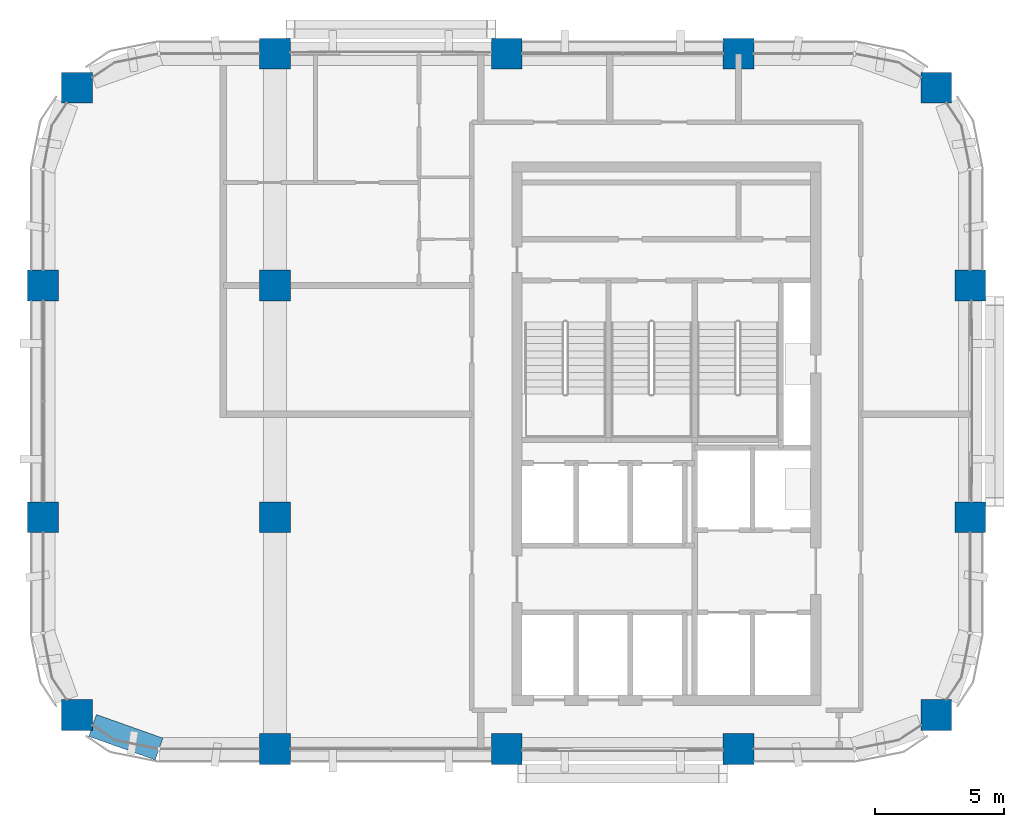
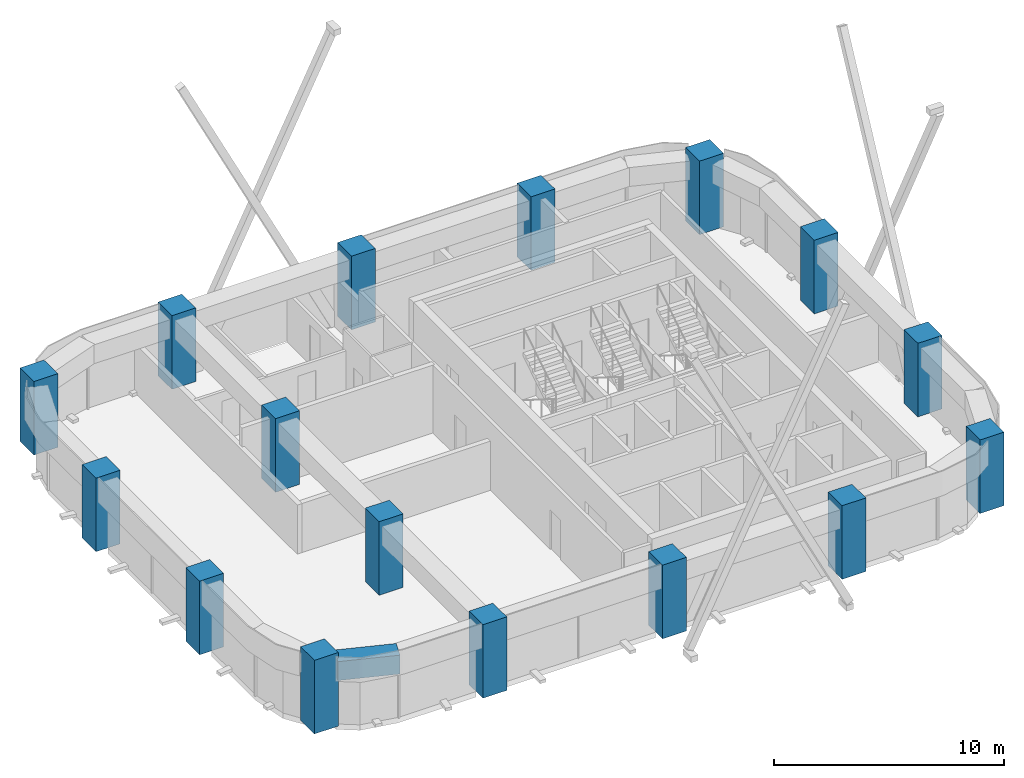
# One storey, part 1 of 10: 16 columns, 1 beam.
"""IFC4 building model written with IfcOpenShell, lengths in metres."""

from ifc_helpers import new_model, si_unit, direction, frame, origin, origin_2d, place, context, subcontext, project, spatial, rectangle, extrude, material, material_profile, profile_set, type_object, element, save


model = new_model("IFC4")

# Units and contexts
model_context = context("Model", 3, precision=1e-05, world=origin(), true_north=direction((0.0, 1.0)))
body_context = subcontext(model_context, "Body", "Model", "MODEL_VIEW")
ifc_project = project(units=[si_unit("LENGTHUNIT", "METRE"), si_unit("AREAUNIT", "SQUARE_METRE"), si_unit("VOLUMEUNIT", "CUBIC_METRE"), si_unit("PLANEANGLEUNIT", "RADIAN"), si_unit("MASSUNIT", "GRAM", prefix="KILO")], contexts=[model_context])

# Site, building, storey
site_placement = place(None, origin())
site = spatial("IfcSite", under=ifc_project, at=site_placement, CompositionType="ELEMENT")
building_placement = place(site_placement, origin())
building = spatial("IfcBuilding", under=site, at=building_placement, Name="Tessera Arch", CompositionType="ELEMENT")
storey_placement = place(building_placement, frame((0.0, 0.0, 265.699951171875)))
storey = spatial("IfcBuildingStorey", under=building, at=storey_placement, Name="L64", CompositionType="ELEMENT", Elevation=265.699951171875)

# Columns
ifc_material_1 = material(Name="Concrete C60/75", Category="concrete")
ifc_material_profile_1 = material_profile(ifc_material_1, rectangle(XDim=1.199951171875, YDim=1.199951171875, at=origin_2d()), Name="RC column 1200 x 1200 Concrete C60/75")
ifc_profile_set_1 = profile_set([ifc_material_profile_1], Name="Concrete C60/75")
column_type = type_object("IfcColumnType", Name="RC column 1200 x 1200 Concrete C60/75", PredefinedType="COLUMN", material=ifc_profile_set_1)
for number, where, z_axis, x_axis, name in (
    (1, (19.318115234375, 28.318115234375, 0.0), (0.0, 0.0, 1.0), (1.0, 0.0, 0.0), "Column C3D L64"),
    (2, (18.0, 36.0, 0.0), (0.0, 0.0, 1.0), (1.0, 0.0, 0.0), "Column C3E L64"),
    (3, (18.0, 45.0, 0.0), (0.0, 0.0, 1.0), (1.0, 0.0, 0.0), "Column C3F L64"),
    (4, (19.318115234375, 52.681884765625, 0.0), (0.0, 0.0, 1.0), (1.0, 0.0, 0.0), "Column C3G L64"),
    (5, (27.0, 27.0, 0.0), (0.0, 0.0, 1.0), (1.0, 0.0, 0.0), "Column C4D L64"),
    (6, (27.0, 36.0, 0.0), (0.0, 0.0, 1.0), (1.0, 0.0, 0.0), "Column C4E L64"),
    (7, (27.0, 45.0, 0.0), (0.0, 0.0, 1.0), (1.0, 0.0, 0.0), "Column C4F L64"),
    (8, (27.0, 54.0, 0.0), (0.0, 0.0, 1.0), (1.0, 0.0, 0.0), "Column C4G L64"),
    (9, (36.0, 27.0, 0.0), (0.0, 0.0, 1.0), (1.0, 0.0, 0.0), "Column C5D L64"),
    (10, (36.0, 54.0, 0.0), (0.0, 0.0, 1.0), (1.0, 0.0, 0.0), "Column C5G L64"),
    (11, (45.0, 27.0, 0.0), (0.0, 0.0, 1.0), (1.0, 0.0, 0.0), "Column C6D L64"),
    (12, (45.0, 54.0, 0.0), (0.0, 0.0, 1.0), (1.0, 0.0, 0.0), "Column C6G L64"),
    (13, (52.681884765625, 28.318115234375, 0.0), (0.0, 0.0, 1.0), (1.0, 0.0, 0.0), "Column C7D L64"),
    (14, (54.0, 36.0, 0.0), (0.0, 0.0, 1.0), (1.0, 0.0, 0.0), "Column C7E L64"),
    (15, (54.0, 45.0, 0.0), (0.0, 0.0, 1.0), (1.0, 0.0, 0.0), "Column C7F L64"),
    (16, (52.681884765625, 52.681884765625, 0.0), (0.0, 0.0, 1.0), (1.0, 0.0, 0.0), "Column C7G L64"),
):
    element("IfcColumn", number, at=place(storey_placement, frame(where, z_axis=z_axis, x_axis=x_axis)), inside=storey, type_object=column_type, Name=name, PredefinedType="COLUMN", context=body_context, shape_type="SweptSolid", body=[
        extrude(rectangle(XDim=1.199951171875, YDim=1.199951171875, at=origin_2d()), origin(), (0.0, 0.0, 1.0), 3.900146484375),
    ])

# Beam
ifc_material_2 = material(Name="Concrete C60/75", Category="concrete")
ifc_material_profile_2 = material_profile(ifc_material_2, rectangle(XDim=0.89990234375, YDim=1.0, at=origin_2d()), Name="RC spandrel beam 900 x 1000 Concrete C60/75")
ifc_profile_set_2 = profile_set([ifc_material_profile_2], Name="Concrete C60/75")
beam_type = type_object("IfcBeamType", Name="RC spandrel beam 900 x 1000 Concrete C60/75", PredefinedType="BEAM", material=ifc_profile_set_2)
beam_placement = place(storey_placement, frame((19.91796875, 27.9169921875, 3.10009765625), z_axis=(0.942337127159, -0.334665114373, 0.0), x_axis=(0.334665114373, 0.942337127159, 0.0)))
element("IfcBeam", 17, at=beam_placement, inside=storey, type_object=beam_type, Name="Spandrel beam L64 S27.18/0.1", PredefinedType="BEAM", context=body_context, shape_type="SweptSolid", body=[
    extrude(rectangle(XDim=0.89990234375, YDim=1.0, at=origin_2d()), origin(), (0.0, 0.0, 1.0), 2.739990234375),
])

save(model, "model.ifc")
